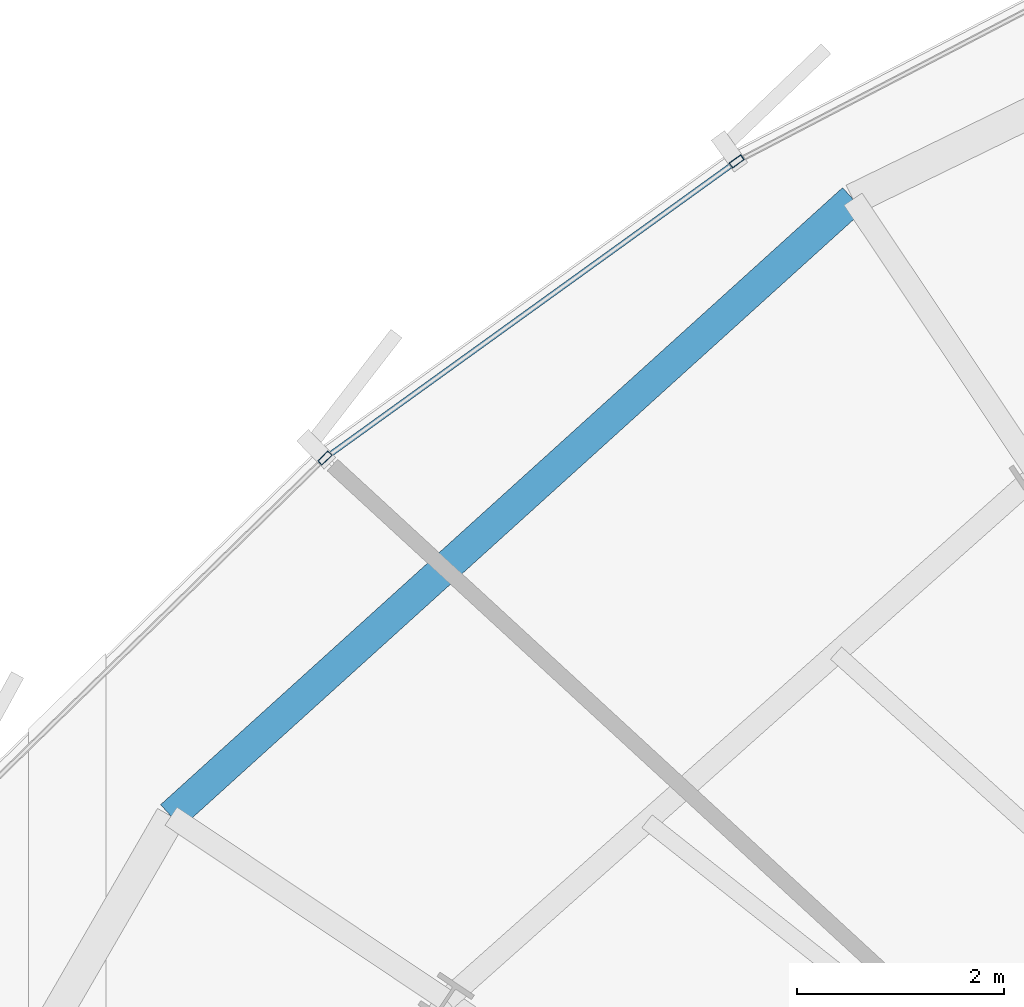
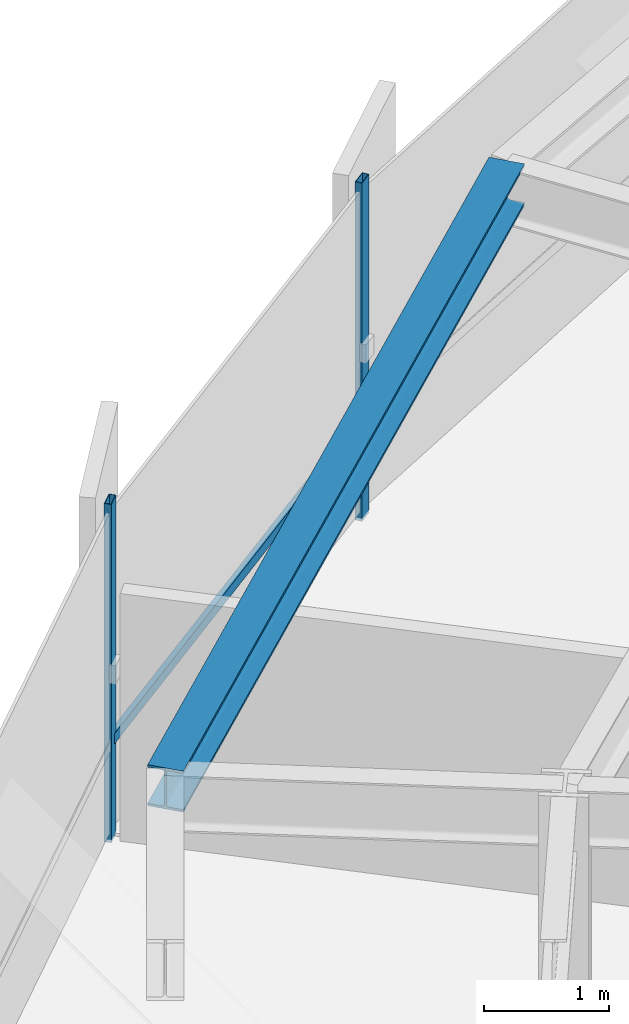
# One storey, part 18 of 34: 3 members, 1 beam, 1 element without a shape of its own.
"""IFC4 building model written with IfcOpenShell, lengths in metres."""

import ifcopenshell
import ifcopenshell.guid

model = None  # the IFC model being written
_history = None  # IfcOwnerHistory: only IFC2X3 demands one
_inside = {}  # id of a spatial element -> (the spatial element, [elements in it])
_under = {}  # id of a project, library or spatial element -> (it, [spatial elements below it])
_declared = {}  # id of a project -> (the project, [libraries it declares])
_typed = {}  # id of a type object -> (the type object, [elements of that type])
_made_of = {}  # id of a material, layer set ... -> (it, [elements and type objects made of it])


def new_model(schema):
    """Start an empty IFC model of exactly this schema.

    Asked for "IFC4X3", IfcOpenShell would pick the latest addendum, in which some entities
    have other attributes; the version numbers below select the first issue.
    IFC2X3 requires an IfcOwnerHistory on every rooted entity: one is made here for all.
    """
    global model, _history
    if schema == "IFC4X3":
        model = ifcopenshell.file(schema_version=(4, 3, 0, 0))
    else:
        model = ifcopenshell.file(schema=schema)
    _inside.clear()
    _under.clear()
    _declared.clear()
    _typed.clear()
    _made_of.clear()
    _history = None
    if model.schema == "IFC2X3":
        org = make("IfcOrganization", Name="unknown")
        user = make(
            "IfcPersonAndOrganization",
            ThePerson=make("IfcPerson", FamilyName="unknown"),
            TheOrganization=org,
        )
        app = make(
            "IfcApplication",
            ApplicationDeveloper=org,
            Version="unknown",
            ApplicationFullName="unknown",
            ApplicationIdentifier="unknown",
        )
        _history = make(
            "IfcOwnerHistory",
            OwningUser=user,
            OwningApplication=app,
            ChangeAction="ADDED",
            CreationDate=0,
        )
    return model


def make(cls, **values):
    """One entity of the class cls with the attributes given. An attribute that is None is left unset."""
    return model.create_entity(
        cls, **{name: value for name, value in values.items() if value is not None}
    )


def rooted(cls, **values):
    """An entity with a GlobalId (a new one), such as an element, a storey or a relation."""
    return make(cls, GlobalId=ifcopenshell.guid.new(), OwnerHistory=_history, **values)


def si_unit(unit_type, name, prefix=None):
    """IfcSIUnit, for example si_unit("LENGTHUNIT", "METRE", prefix="MILLI")."""
    return make("IfcSIUnit", UnitType=unit_type, Prefix=prefix, Name=name)


def assignment(units):
    """IfcUnitAssignment: the units of a project."""
    return None if units is None else make("IfcUnitAssignment", Units=units)


def point(xyz):
    """IfcCartesianPoint."""
    return None if xyz is None else make("IfcCartesianPoint", Coordinates=xyz)


def direction(xyz):
    """IfcDirection."""
    return None if xyz is None else make("IfcDirection", DirectionRatios=xyz)


def frame(location, z_axis=None, x_axis=None):
    """IfcAxis2Placement3D, a coordinate frame: its origin and axes. An axis left out is left unset."""
    return make(
        "IfcAxis2Placement3D",
        Location=point(location),
        Axis=direction(z_axis),
        RefDirection=direction(x_axis),
    )


def frame_2d(location, x_axis=None):
    """IfcAxis2Placement2D, a coordinate frame in the plane: its origin and x axis."""
    return make(
        "IfcAxis2Placement2D", Location=point(location), RefDirection=direction(x_axis)
    )


def origin():
    """The frame at (0, 0, 0) with its axes left unset."""
    return frame((0.0, 0.0, 0.0))


def origin_2d():
    """The frame at (0, 0) in the plane with its x axis left unset."""
    return frame_2d((0.0, 0.0))


def place(relative_to, where):
    """IfcLocalPlacement: puts the frame where relative to a parent placement (None: the world)."""
    return make(
        "IfcLocalPlacement", PlacementRelTo=relative_to, RelativePlacement=where
    )


def context(
    kind, dimensions, precision=None, world=None, true_north=None, identifier=None
):
    """IfcGeometricRepresentationContext, for example the 3D "Model" context."""
    return make(
        "IfcGeometricRepresentationContext",
        ContextIdentifier=identifier,
        ContextType=kind,
        CoordinateSpaceDimension=dimensions,
        Precision=precision,
        WorldCoordinateSystem=world,
        TrueNorth=true_north,
    )


def subcontext(parent, identifier, kind, view, scale=None):
    """IfcGeometricRepresentationSubContext, for example "Body" below "Model"."""
    return make(
        "IfcGeometricRepresentationSubContext",
        ContextIdentifier=identifier,
        ContextType=kind,
        ParentContext=parent,
        TargetScale=scale,
        TargetView=view,
    )


def project(units=None, contexts=None):
    """IfcProject with its units and contexts."""
    return rooted(
        "IfcProject",
        Name="project",
        RepresentationContexts=contexts,
        UnitsInContext=assignment(units),
    )


def spatial(cls, under=None, at=None, **own):
    """A site, building, storey or space (cls), placed at a placement, below another one or the project."""
    s = rooted(cls, ObjectPlacement=at, **own)
    if under is not None:
        _under.setdefault(under.id(), (under, []))[1].append(s)
    return s


def profile(cls, at=None, kind="AREA", **sizes):
    """A parametric profile (cls). Its sizes go by their IFC names, for example OverallWidth=200.0."""
    return make(cls, ProfileType=kind, Position=at, **sizes)


def hollow_rectangle(**sizes):
    """IfcRectangleHollowProfileDef."""
    return profile("IfcRectangleHollowProfileDef", **sizes)


def i_section(**sizes):
    """IfcIShapeProfileDef."""
    return profile("IfcIShapeProfileDef", **sizes)


def extrude(swept, where, along, depth):
    """IfcExtrudedAreaSolid: the profile swept, set in the frame where, extruded along a direction by depth."""
    return make(
        "IfcExtrudedAreaSolid",
        SweptArea=swept,
        Position=where,
        ExtrudedDirection=direction(along),
        Depth=depth,
    )


def shape(context_of_items, identifier, shape_type, items):
    """IfcShapeRepresentation: the items that make up one representation, for example the "Body"."""
    return make(
        "IfcShapeRepresentation",
        ContextOfItems=context_of_items,
        RepresentationIdentifier=identifier,
        RepresentationType=shape_type,
        Items=items,
    )


def source(mapping_origin, context_of_items, identifier, shape_type, items):
    """IfcRepresentationMap: a shape defined once, which mapped items show again and again."""
    return make(
        "IfcRepresentationMap",
        MappingOrigin=mapping_origin,
        MappedRepresentation=shape(context_of_items, identifier, shape_type, items),
    )


def transform(
    local_origin,
    x_axis=None,
    y_axis=None,
    z_axis=None,
    scale=None,
    scale2=None,
    scale3=None,
    uniform=True,
):
    """IfcCartesianTransformationOperator3D, or its non-uniform kind. x_axis, y_axis, z_axis: its Axis1, 2, 3."""
    if uniform:
        return make(
            "IfcCartesianTransformationOperator3D",
            Axis1=direction(x_axis),
            Axis2=direction(y_axis),
            LocalOrigin=point(local_origin),
            Scale=scale,
            Axis3=direction(z_axis),
        )
    return make(
        "IfcCartesianTransformationOperator3DnonUniform",
        Axis1=direction(x_axis),
        Axis2=direction(y_axis),
        LocalOrigin=point(local_origin),
        Scale=scale,
        Axis3=direction(z_axis),
        Scale2=scale2,
        Scale3=scale3,
    )


def mapped(mapping_source, mapping_target):
    """IfcMappedItem: shows the shape of a source again, moved by a transform."""
    return make(
        "IfcMappedItem", MappingSource=mapping_source, MappingTarget=mapping_target
    )


def material(Name=None, Category=None):
    """IfcMaterial."""
    return make("IfcMaterial", Name=Name, Category=Category)


def layer(
    of_material, thickness, ventilated=None, Name=None, Category=None, Priority=None
):
    """IfcMaterialLayer: one layer of a wall or slab, of a material (None: an air gap)."""
    return make(
        "IfcMaterialLayer",
        Material=of_material,
        LayerThickness=thickness,
        IsVentilated=ventilated,
        Name=Name,
        Category=Category,
        Priority=Priority,
    )


def layer_set(layers, Name=None):
    """IfcMaterialLayerSet."""
    return make("IfcMaterialLayerSet", MaterialLayers=layers, LayerSetName=Name)


def material_profile(
    of_material, cross_section, Name=None, Category=None, Priority=None
):
    """IfcMaterialProfile: a cross section and its material."""
    return make(
        "IfcMaterialProfile",
        Name=Name,
        Material=of_material,
        Profile=cross_section,
        Priority=Priority,
        Category=Category,
    )


def profile_set(profiles, Name=None, composite=None):
    """IfcMaterialProfileSet."""
    return make(
        "IfcMaterialProfileSet",
        Name=Name,
        MaterialProfiles=profiles,
        CompositeProfile=composite,
    )


def made_of(thing, what):
    """Note that an element or type object is made of a material, layer set ...; save() writes the relation."""
    if what is not None:
        _made_of.setdefault(what.id(), (what, []))[1].append(thing)
    return thing


def type_object(cls, material=None, **own):
    """A type object (cls), such as IfcWallType, which elements share."""
    return made_of(rooted(cls, **own), material)


def element(
    cls,
    number,
    at=None,
    inside=None,
    cuts=None,
    type_object=None,
    material=None,
    context=None,
    identifier="Body",
    shape_type=None,
    held_by="IfcProductDefinitionShape",
    body=None,
    shapes=None,
    **own,
):
    """One element of the class cls, such as IfcWall. Its Tag is "e" and its number.

    at: its placement. inside: the storey or other place that contains it. cuts: it is an
    opening in that element (IfcRelVoidsElement). A single representation is given by context,
    identifier, shape_type and body (its items); several are given by shapes. held_by: the class
    of the entity that holds the representations. save() writes the other relations.
    """
    e = rooted(cls, Tag="e%d" % number, ObjectPlacement=at, **own)
    if body is not None:
        shapes = [shape(context, identifier, shape_type, body)]
    if shapes is not None:
        e.Representation = make(held_by, Representations=shapes)
    if inside is not None:
        _inside.setdefault(inside.id(), (inside, []))[1].append(e)
    if cuts is not None:
        rooted(
            "IfcRelVoidsElement", RelatingBuildingElement=cuts, RelatedOpeningElement=e
        )
    if type_object is not None:
        _typed.setdefault(type_object.id(), (type_object, []))[1].append(e)
    return made_of(e, material)


def aggregate(whole, parts):
    """IfcRelAggregates: a whole, such as a stair, and the parts it consists of."""
    return rooted("IfcRelAggregates", RelatingObject=whole, RelatedObjects=parts)


def save(model, path):
    """Write the relations noted so far, then the file.

    IfcRelAggregates (storeys below a building ...), IfcRelContainedInSpatialStructure (elements
    in a storey), IfcRelDefinesByType, IfcRelAssociatesMaterial and IfcRelDeclares: one each for
    every whole, place, type object, material and project.
    """
    for whole, parts in _under.values():
        aggregate(whole, parts)
    for where, things in _inside.values():
        rooted(
            "IfcRelContainedInSpatialStructure",
            RelatedElements=things,
            RelatingStructure=where,
        )
    for kind, things in _typed.values():
        rooted("IfcRelDefinesByType", RelatedObjects=things, RelatingType=kind)
    for what, things in _made_of.values():
        rooted("IfcRelAssociatesMaterial", RelatedObjects=things, RelatingMaterial=what)
    for by, libraries in _declared.values():
        rooted("IfcRelDeclares", RelatingContext=by, RelatedDefinitions=libraries)
    model.write(path)


model = new_model("IFC4")

# Units and contexts
model_context = context("Model", 3, precision=1e-05, world=origin(), true_north=direction((0.0, 1.0)))
body_context = subcontext(model_context, "Body", "Model", "MODEL_VIEW")
ifc_project = project(units=[si_unit("LENGTHUNIT", "METRE"), si_unit("AREAUNIT", "SQUARE_METRE"), si_unit("VOLUMEUNIT", "CUBIC_METRE"), si_unit("PLANEANGLEUNIT", "RADIAN"), si_unit("MASSUNIT", "GRAM", prefix="KILO"), si_unit("THERMODYNAMICTEMPERATUREUNIT", "KELVIN")], contexts=[model_context])

# Site, building, storey
site_placement = place(None, origin())
site = spatial("IfcSite", under=ifc_project, at=site_placement, CompositionType="ELEMENT")
building_placement = place(site_placement, origin())
building = spatial("IfcBuilding", under=site, at=building_placement, Name="Kethvar Cultural Tower", CompositionType="ELEMENT")
storey_placement = place(building_placement, frame((0.0, 0.0, 128.800048828125)))
storey = spatial("IfcBuildingStorey", under=building, at=storey_placement, Name="L32", CompositionType="ELEMENT", Elevation=128.800048828125)

# Beam
ifc_material_1 = material(Name="Steel S355J2", Category="steel")
ifc_material_profile_1 = material_profile(ifc_material_1, i_section(OverallWidth=0.300048828125, OverallDepth=0.39990234375, WebThickness=0.013427734375, FlangeThickness=0.02392578125, FilletRadius=0.027099609375, at=origin_2d()), Name="Steel S355J2 — HEB400")
ifc_profile_set_1 = profile_set([ifc_material_profile_1], Name="Steel S355J2 — HEB400")
beam_type = type_object("IfcBeamType", Name="BM-SP400", PredefinedType="SPANDREL", material=ifc_profile_set_1)
shared_shape_1 = source(origin(), body_context, "Body", "SweptSolid", [
    extrude(i_section(OverallWidth=0.300048828125, OverallDepth=0.39990234375, WebThickness=0.013427734375, FlangeThickness=0.02392578125, FilletRadius=0.027099609375, at=origin_2d()), origin(), (0.0, 0.0, 1.0), 8.892822265625),
])
beam_placement = place(storey_placement, frame((34.27978515625, 46.5380859375, 3.097900390625), z_axis=(-0.741556591679, -0.670890319901, 0.0), x_axis=(0.670890319901, -0.741556591679, 0.0)))
element("IfcBeam", 1, at=beam_placement, inside=storey, type_object=beam_type, Name="L32 Perimeter Spandrel Beam SP-06", PredefinedType="SPANDREL", context=body_context, shape_type="MappedRepresentation", body=[
    mapped(shared_shape_1, transform((0.0, 0.0, 0.0), scale=1.0)),
])

# Curtain wall, members
ifc_material_2 = material(Name="Aluminium 6063-T6", Category="aluminium")
ifc_layer = layer(ifc_material_2, 0.179931640625, Name="Aluminium 6063-T6", Category="aluminium")
ifc_layer_set = layer_set([ifc_layer], Name="Aluminium 6063-T6 (180 mm)")
curtain_wall_type = type_object("IfcCurtainWallType", Name="CW-SYS-04-Z34", PredefinedType="NOTDEFINED", material=ifc_layer_set)
curtain_wall_placement = place(storey_placement, origin())
curtain_wall = element("IfcCurtainWall", 2, at=curtain_wall_placement, inside=storey, type_object=curtain_wall_type, Name="L32 Curtain Wall Run 02", PredefinedType="NOTDEFINED")
ifc_material_profile_2 = material_profile(ifc_material_2, hollow_rectangle(XDim=0.06005859375, YDim=0.139892578125, WallThickness=0.0048828125, at=origin_2d()), Name="Aluminium 6063-T6 — RHS140x60x5")
ifc_profile_set_2 = profile_set([ifc_material_profile_2], Name="Aluminium 6063-T6 — RHS140x60x5")
member_type_1 = type_object("IfcMemberType", Name="CW-SYS-04-Z34-MUL", PredefinedType="MULLION", material=ifc_profile_set_2)
shared_shape_2 = source(origin(), body_context, "Body", "SweptSolid", [
    extrude(hollow_rectangle(XDim=0.06005859375, YDim=0.139892578125, WallThickness=0.0048828125, at=origin_2d()), origin(), (0.0, 0.0, 1.0), 3.300048828125),
])
member_1_placement = place(storey_placement, frame((33.15478515625, 46.9033203125, 0.0), z_axis=(0.0, 0.0, 1.0), x_axis=(0.584801951133, -0.811176107853, 0.0)))
member_1 = element("IfcMember", 3, at=member_1_placement, type_object=member_type_1, Name="CW-L32-R02 Mullion 5", PredefinedType="MULLION", context=body_context, shape_type="MappedRepresentation", body=[
    mapped(shared_shape_2, transform((0.0, 0.0, 0.0), scale=1.0)),
])
member_2_placement = place(storey_placement, frame((29.17333984375, 44.0341796875, 0.0), z_axis=(0.0, 0.0, 1.0), x_axis=(0.698677553601, -0.715436703066, 0.0)))
member_2 = element("IfcMember", 4, at=member_2_placement, type_object=member_type_1, Name="CW-L32-R02 Mullion 6", PredefinedType="MULLION", context=body_context, shape_type="MappedRepresentation", body=[
    mapped(shared_shape_2, transform((0.0, 0.0, 0.0), scale=1.0)),
])
ifc_material_profile_3 = material_profile(ifc_material_2, hollow_rectangle(XDim=0.050048828125, YDim=0.10009765625, WallThickness=0.00390625, at=origin_2d()), Name="Aluminium 6063-T6 — RHS100x50x4")
ifc_profile_set_3 = profile_set([ifc_material_profile_3], Name="Aluminium 6063-T6 — RHS100x50x4")
member_type_2 = type_object("IfcMemberType", Name="CW-SYS-04-Z34-TRN", PredefinedType="USERDEFINED", material=ifc_profile_set_3)
shared_shape_3 = source(origin(), body_context, "Body", "SweptSolid", [
    extrude(hollow_rectangle(XDim=0.050048828125, YDim=0.10009765625, WallThickness=0.00390625, at=origin_2d()), origin(), (0.0, 0.0, 1.0), 4.83740234375),
])
member_3_placement = place(storey_placement, frame((33.119873046875, 46.8779296875, 0.949951171875), z_axis=(-0.811188627635, -0.584784584608, 0.0), x_axis=(0.584784584608, -0.811188627635, 0.0)))
member_3 = element("IfcMember", 5, at=member_3_placement, type_object=member_type_2, Name="CW-L32-R02 Transom 5", ObjectType="TRANSOM", PredefinedType="USERDEFINED", context=body_context, shape_type="MappedRepresentation", body=[
    mapped(shared_shape_3, transform((0.0, 0.0, 0.0), scale=1.0)),
])
aggregate(curtain_wall, [member_1, member_2, member_3])

save(model, "model.ifc")
